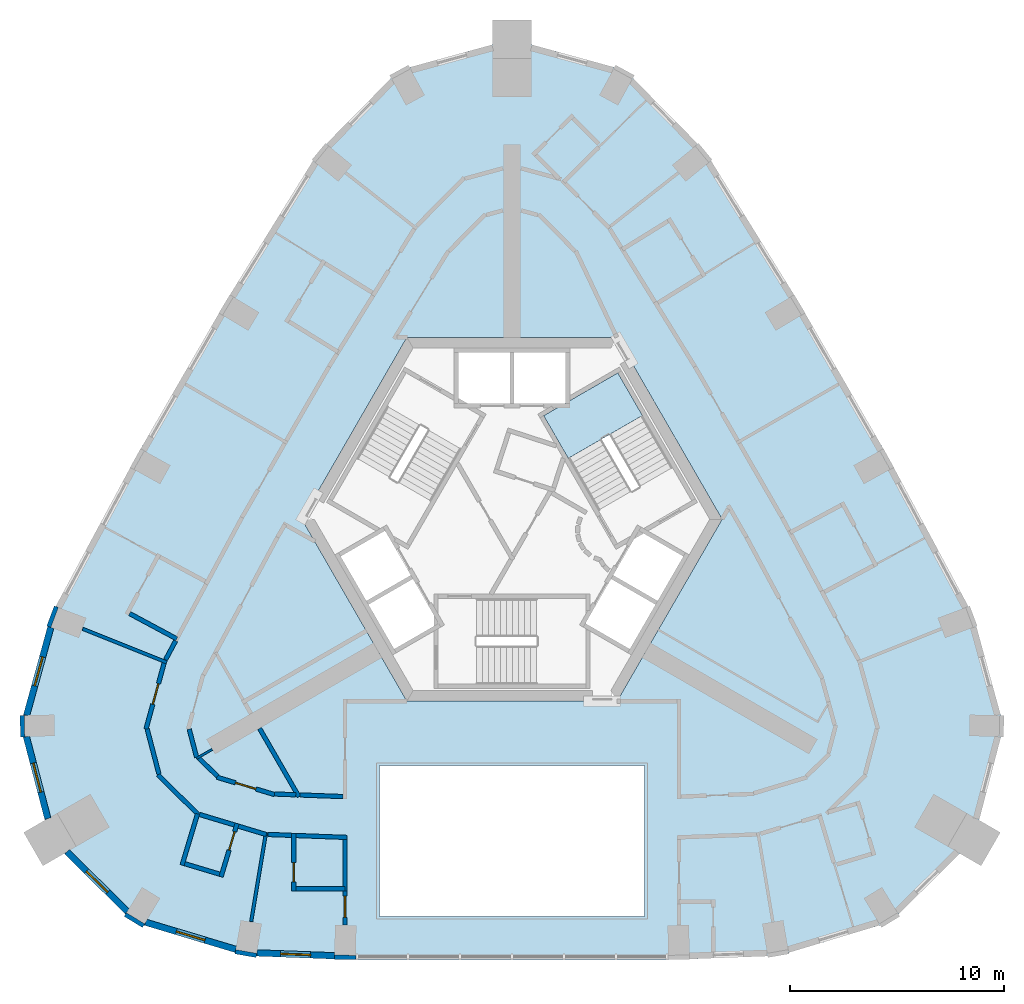
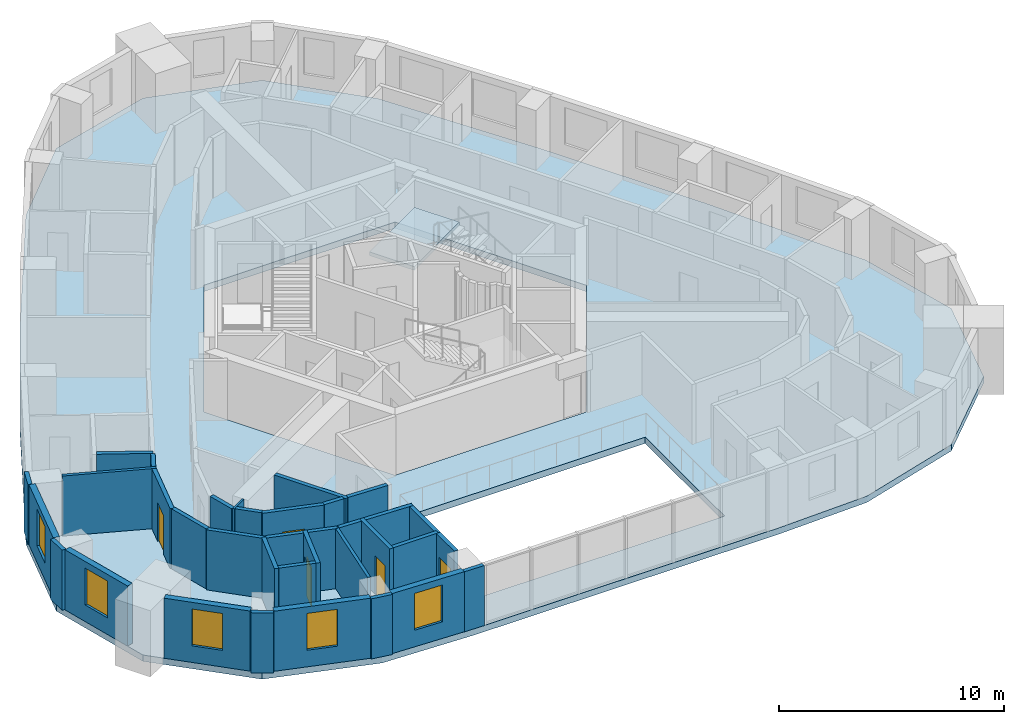
# One storey, part 3 of 10: 35 walls, 5 doors, 5 windows, 2 slabs, 10 openings, 1 element without a shape of its own.
"""IFC4 building model written with IfcOpenShell, lengths in metres."""

from ifc_helpers import new_model, si_unit, direction, frame, frame_2d, origin, place, context, subcontext, project, spatial, polyline, rectangle, outline, extrude, material, layer, layer_set, type_object, element, fill, aggregate, save


model = new_model("IFC4")

# Units and contexts
model_context = context("Model", 3, precision=1e-05, world=origin(), true_north=direction((0.0, 1.0)))
body_context = subcontext(model_context, "Body", "Model", "MODEL_VIEW")
ifc_project = project(units=[si_unit("LENGTHUNIT", "METRE"), si_unit("AREAUNIT", "SQUARE_METRE"), si_unit("VOLUMEUNIT", "CUBIC_METRE"), si_unit("PLANEANGLEUNIT", "RADIAN"), si_unit("MASSUNIT", "GRAM", prefix="KILO")], contexts=[model_context])

# Site, building, storey
site_placement = place(None, origin())
site = spatial("IfcSite", under=ifc_project, at=site_placement, CompositionType="ELEMENT")
building_placement = place(site_placement, origin())
building = spatial("IfcBuilding", under=site, at=building_placement, Name="Entoto Arch Interchange Tower", CompositionType="ELEMENT")
storey_placement = place(building_placement, frame((0.0, 0.0, 300.800048828125)))
storey = spatial("IfcBuildingStorey", under=building, at=storey_placement, Name="L70", CompositionType="ELEMENT", Elevation=300.800048828125)

# Stair, slab
ifc_material_1 = material(Name="Concrete C40/50", Category="concrete")
stair_type = type_object("IfcStairType", Name="EXIT STAIR RC 1800", PredefinedType="HALF_TURN_STAIR", material=ifc_material_1)
stair_placement = place(storey_placement, origin())
stair = element("IfcStair", 1, at=stair_placement, inside=storey, type_object=stair_type, Name="L70 Exit stair NE", PredefinedType="HALF_TURN_STAIR")
ifc_layer_1 = layer(ifc_material_1, 0.199951171875)
ifc_layer_set_1 = layer_set([ifc_layer_1], Name="Concrete C40/50")
slab_type_1 = type_object("IfcSlabType", Name="EXIT STAIR LANDING RC 200", PredefinedType="LANDING", material=ifc_layer_set_1)
slab_1_placement = place(storey_placement, frame((0.0, 0.0, 1.599853515625)))
slab_1 = element("IfcSlab", 2, at=slab_1_placement, type_object=slab_type_1, Name="ST-NE landing 1", PredefinedType="LANDING", context=body_context, shape_type="SweptSolid", body=[
    extrude(outline(polyline([(6.093505859375, 7.345947265625), (4.943359375, 9.337890625), (1.479248046875, 7.337890625), (2.62939453125, 5.345947265625), (6.093505859375, 7.345947265625)])), origin(), (0.0, 0.0, 1.0), 0.2001953125),
])
aggregate(stair, [slab_1])

# Slab
ifc_layer_2 = layer(ifc_material_1, 0.340087890625)
ifc_layer_set_2 = layer_set([ifc_layer_2], Name="Concrete C40/50")
slab_type_2 = type_object("IfcSlabType", Name="Post-tensioned flat plate 340 C40/50", PredefinedType="FLOOR", material=ifc_layer_set_2)
slab_2_placement = place(storey_placement, frame((0.0, 0.0, -0.340087890625)))
element("IfcSlab", 3, at=slab_2_placement, inside=storey, type_object=slab_type_2, Name="Floor slab L70", PredefinedType="FLOOR", context=body_context, shape_type="SweptSolid", body=[
    extrude(outline(polyline([(-12.447998046875, -17.889892578125), (-7.800048828125, -18.06396484375), (7.800048828125, -18.06396484375), (12.447998046875, -17.889892578125), (17.69189453125, -16.31201171875), (21.583984375, -12.4609375), (22.971923828125, -7.1650390625), (21.556884765625, -2.01708984375), (17.595947265625, 5.35791015625), (13.43798828125, 12.56005859375), (9.031982421875, 19.677001953125), (5.281005859375, 23.47705078125), (0.0, 24.923095703125), (-5.281005859375, 23.47705078125), (-9.031982421875, 19.677001953125), (-13.43798828125, 12.56005859375), (-17.595947265625, 5.35791015625), (-21.556884765625, -2.01708984375), (-22.971923828125, -7.1650390625), (-21.583984375, -12.4609375), (-17.69189453125, -16.31201171875), (-12.447998046875, -17.889892578125)]), holes=[polyline([(6.199951171875, -16.06396484375), (6.199951171875, -9.0), (-6.199951171875, -9.0), (-6.199951171875, -16.06396484375), (6.199951171875, -16.06396484375)]), polyline([(9.81494140625, 2.5), (4.906982421875, 11.0), (-4.906982421875, 11.0), (-9.81494140625, 2.5), (-4.906982421875, -6.0), (4.906982421875, -6.0), (9.81494140625, 2.5)])]), origin(), (0.0, 0.0, 1.0), 0.340087890625),
])

# Walls
ifc_material_2 = material(Name="Gypsum board partition on steel studs", Category="steel")
ifc_layer_3 = layer(ifc_material_2, 0.10009765625)
ifc_layer_set_3 = layer_set([ifc_layer_3], Name="Gypsum board partition on steel studs")
wall_type_1 = type_object("IfcWallType", Name="PARTITION 100", PredefinedType="PARTITIONING", material=ifc_layer_set_3)
wall_1_placement = place(storey_placement, frame((-14.001953125, -8.248046875, 0.0), z_axis=(0.0, 0.0, 1.0), x_axis=(-0.866142766235, -0.499796667154, 0.0)))
element("IfcWall", 4, at=wall_1_placement, inside=storey, type_object=wall_type_1, Name="wall:L70:p089", PredefinedType="PARTITIONING", context=body_context, shape_type="SweptSolid", body=[
    extrude(rectangle(XDim=0.854248046875, YDim=0.10009765625, at=frame_2d((0.42724609375, 0.0))), origin(), (0.0, 0.0, 1.0), 3.260009765625),
])
ifc_layer_4 = layer(ifc_material_2, 0.14990234375)
ifc_layer_set_4 = layer_set([ifc_layer_4], Name="Gypsum board partition on steel studs")
wall_type_2 = type_object("IfcWallType", Name="PARTITION 150", PredefinedType="PARTITIONING", material=ifc_layer_set_4)
wall_2_placement = place(storey_placement, frame((-16.137939453125, -4.18505859375, 0.0), z_axis=(0.0, 0.0, 1.0), x_axis=(-0.928432751736, 0.371500505388, 0.0)))
element("IfcWall", 5, at=wall_2_placement, inside=storey, type_object=wall_type_2, Name="wall:L70:p124", PredefinedType="PARTITIONING", context=body_context, shape_type="SweptSolid", body=[
    extrude(rectangle(XDim=4.2158203125, YDim=0.14990234375, at=frame_2d((2.10791015625, 0.0))), origin(), (0.0, 0.0, 1.0), 3.260009765625),
])
wall_3_placement = place(storey_placement, frame((-11.488037109375, -12.123046875, 0.0), z_axis=(0.0, 0.0, 1.0), x_axis=(-0.164174159643, -0.986431368776, 0.0)))
element("IfcWall", 6, at=wall_3_placement, inside=storey, type_object=wall_type_2, Name="wall:L70:p128", PredefinedType="PARTITIONING", context=body_context, shape_type="SweptSolid", body=[
    extrude(rectangle(XDim=4.226318359375, YDim=0.14990234375, at=frame_2d((2.11328125, 0.0))), origin(), (0.0, 0.0, 1.0), 3.260009765625),
])
ifc_layer_5 = layer(ifc_material_2, 0.199951171875)
ifc_layer_set_5 = layer_set([ifc_layer_5], Name="Gypsum board partition on steel studs")
wall_type_3 = type_object("IfcWallType", Name="PARTITION 200", PredefinedType="PARTITIONING", material=ifc_layer_set_5)
wall_4_placement = place(storey_placement, frame((-9.902099609375, -10.3798828125, 0.0), z_axis=(0.0, 0.0, 1.0), x_axis=(0.999295503749, -0.037529937222, 0.0)))
element("IfcWall", 7, at=wall_4_placement, inside=storey, type_object=wall_type_3, Name="wall:L70:p024", PredefinedType="PARTITIONING", context=body_context, shape_type="SweptSolid", body=[
    extrude(rectangle(XDim=2.003662109375, YDim=0.199951171875, at=frame_2d((1.001953125, 0.0))), origin(), (0.0, 0.0, 1.0), 3.260009765625),
])
wall_5_placement = place(storey_placement, frame((-15.077880859375, -7.30908203125, 0.0), z_axis=(0.0, 0.0, 1.0), x_axis=(0.254014079025, -0.967200520914, 0.0)))
element("IfcWall", 8, at=wall_5_placement, inside=storey, type_object=wall_type_3, Name="wall:L70:p027", PredefinedType="PARTITIONING", context=body_context, shape_type="SweptSolid", body=[
    extrude(rectangle(XDim=1.354248046875, YDim=0.199951171875, at=frame_2d((0.67724609375, 0.0))), origin(), (0.0, 0.0, 1.0), 3.260009765625),
])
wall_6_placement = place(storey_placement, frame((-14.6201171875, -8.659912109375, 0.0), z_axis=(0.0, 0.0, 1.0), x_axis=(0.710838137113, -0.703355630407, 0.0)))
element("IfcWall", 9, at=wall_6_placement, inside=storey, type_object=wall_type_3, Name="wall:L70:p028", PredefinedType="PARTITIONING", context=body_context, shape_type="SweptSolid", body=[
    extrude(rectangle(XDim=1.207275390625, YDim=0.199951171875, at=frame_2d((0.603515625, 0.0))), origin(), (0.0, 0.0, 1.0), 3.260009765625),
])

# Wall, opening, door
wall_7_placement = place(storey_placement, frame((-13.787109375, -9.550048828125, 0.0), z_axis=(0.0, 0.0, 1.0), x_axis=(0.957493454064, -0.288454997225, 0.0)))
wall_7 = element("IfcWall", 10, at=wall_7_placement, inside=storey, type_object=wall_type_3, Name="wall:L70:p029", PredefinedType="PARTITIONING", context=body_context, shape_type="SweptSolid", body=[
    extrude(rectangle(XDim=2.811767578125, YDim=0.199951171875, at=frame_2d((1.40576171875, 0.0))), origin(), (0.0, 0.0, 1.0), 3.260009765625),
])
opening_1_placement = place(wall_7_placement, frame((0.906005859375, 0.0, 0.0)))
opening_1 = element("IfcOpeningElement", 11, at=opening_1_placement, cuts=wall_7, Name="Opening L70-D31", PredefinedType="OPENING", context=body_context, shape_type="SweptSolid", body=[
    extrude(rectangle(XDim=1.0, YDim=2.10009765625, at=frame_2d((0.5, 1.050048828125))), frame((0.0, 0.10986328125, 0.0), z_axis=(0.0, -1.0, 0.0), x_axis=(1.0, 0.0, 0.0)), (0.0, 0.0, 1.0), 0.219970703125),
])
ifc_material_3 = material(Name="Timber door leaf in Steel S235 frame", Category="steel")
door_type_1 = type_object("IfcDoorType", Name="DOOR DS-10 1000x2100", OperationType="SINGLE_SWING_LEFT", PredefinedType="DOOR", material=ifc_material_3)
door_1_placement = place(opening_1_placement, origin())
door_1 = element("IfcDoor", 12, at=door_1_placement, inside=storey, type_object=door_type_1, Name="door:L70:31", OperationType="SINGLE_SWING_LEFT", OverallHeight=2.10009765625, OverallWidth=1.0, PredefinedType="DOOR", context=body_context, shape_type="SweptSolid", body=[
    extrude(rectangle(XDim=1.0, YDim=2.10009765625, at=frame_2d((0.5, 1.050048828125))), frame((0.0, 0.02490234375, 0.0), z_axis=(0.0, -1.0, 0.0), x_axis=(1.0, 0.0, 0.0)), (0.0, 0.0, 1.0), 0.050048828125),
])
fill(opening_1, door_1)

# Walls
wall_8_placement = place(storey_placement, frame((-11.091064453125, -10.3349609375, 0.0), z_axis=(0.0, 0.0, 1.0), x_axis=(0.999296807198, -0.037495214686, 0.0)))
element("IfcWall", 13, at=wall_8_placement, inside=storey, type_object=wall_type_3, Name="wall:L70:p030", PredefinedType="PARTITIONING", context=body_context, shape_type="SweptSolid", body=[
    extrude(rectangle(XDim=0.98974609375, YDim=0.199951171875, at=frame_2d((0.494873046875, 0.0))), origin(), (0.0, 0.0, 1.0), 3.260009765625),
])
wall_9_placement = place(storey_placement, frame((-16.18408203125, -4.05908203125, 0.0), z_axis=(0.0, 0.0, 1.0), x_axis=(0.473039108954, 0.881041430013, 0.0)))
element("IfcWall", 14, at=wall_9_placement, inside=storey, type_object=wall_type_3, Name="wall:L70:p054", PredefinedType="PARTITIONING", context=body_context, shape_type="SweptSolid", body=[
    extrude(rectangle(XDim=1.002197265625, YDim=0.199951171875, at=frame_2d((0.5009765625, 0.0))), origin(), (0.0, 0.0, 1.0), 3.260009765625),
])
wall_10_placement = place(storey_placement, frame((-11.48095703125, -12.22900390625, 0.0), z_axis=(0.0, 0.0, 1.0), x_axis=(-0.957537616046, 0.288308365917, 0.0)))
element("IfcWall", 15, at=wall_10_placement, inside=storey, type_object=wall_type_3, Name="wall:L70:p056", PredefinedType="PARTITIONING", context=body_context, shape_type="SweptSolid", body=[
    extrude(rectangle(XDim=1.352294921875, YDim=0.199951171875, at=frame_2d((0.67626953125, 0.0))), origin(), (0.0, 0.0, 1.0), 3.260009765625),
])
wall_11_placement = place(storey_placement, frame((-14.6201171875, -11.3330078125, 0.0), z_axis=(0.0, 0.0, 1.0), x_axis=(-0.710808598142, 0.703385482369, 0.0)))
element("IfcWall", 16, at=wall_11_placement, inside=storey, type_object=wall_type_3, Name="wall:L70:p057", PredefinedType="PARTITIONING", context=body_context, shape_type="SweptSolid", body=[
    extrude(rectangle(XDim=2.697021484375, YDim=0.199951171875, at=frame_2d((1.3486328125, 0.0))), origin(), (0.0, 0.0, 1.0), 3.260009765625),
])
wall_12_placement = place(storey_placement, frame((-16.490966796875, -9.409912109375, 0.0), z_axis=(0.0, 0.0, 1.0), x_axis=(-0.253618393349, 0.967304352598, 0.0)))
element("IfcWall", 17, at=wall_12_placement, inside=storey, type_object=wall_type_3, Name="wall:L70:p058", PredefinedType="PARTITIONING", context=body_context, shape_type="SweptSolid", body=[
    extrude(rectangle(XDim=2.184326171875, YDim=0.199951171875, at=frame_2d((1.09228515625, 0.0))), origin(), (0.0, 0.0, 1.0), 3.260009765625),
])

# Wall, opening, door
wall_13_placement = place(storey_placement, frame((-17.096923828125, -7.297119140625, 0.0), z_axis=(0.0, 0.0, 1.0), x_axis=(0.264861686213, 0.964286413456, 0.0)))
wall_13 = element("IfcWall", 18, at=wall_13_placement, inside=storey, type_object=wall_type_3, Name="wall:L70:p059", PredefinedType="PARTITIONING", context=body_context, shape_type="SweptSolid", body=[
    extrude(rectangle(XDim=3.291748046875, YDim=0.199951171875, at=frame_2d((1.64599609375, 0.0))), origin(), (0.0, 0.0, 1.0), 3.260009765625),
])
opening_2_placement = place(wall_13_placement, frame((1.195068359375, 0.0, 0.0)))
opening_2 = element("IfcOpeningElement", 19, at=opening_2_placement, cuts=wall_13, Name="Opening L70-D21", PredefinedType="OPENING", context=body_context, shape_type="SweptSolid", body=[
    extrude(rectangle(XDim=1.0, YDim=2.10009765625, at=frame_2d((0.5, 1.050048828125))), frame((0.0, 0.10986328125, 0.0), z_axis=(0.0, -1.0, 0.0), x_axis=(1.0, 0.0, 0.0)), (0.0, 0.0, 1.0), 0.219970703125),
])
ifc_material_4 = material(Name="Fire-rated Steel S235 door and frame", Category="steel")
door_type_2 = type_object("IfcDoorType", Name="DOOR FD-10 1000x2100", OperationType="SINGLE_SWING_LEFT", PredefinedType="DOOR", material=ifc_material_4)
door_2_placement = place(opening_2_placement, origin())
door_2 = element("IfcDoor", 20, at=door_2_placement, inside=storey, type_object=door_type_2, Name="door:L70:21", OperationType="SINGLE_SWING_RIGHT", OverallHeight=2.10009765625, OverallWidth=1.0, PredefinedType="DOOR", context=body_context, shape_type="SweptSolid", body=[
    extrude(rectangle(XDim=1.0, YDim=2.10009765625, at=frame_2d((0.5, 1.050048828125))), frame((0.0, 0.02490234375, 0.0), z_axis=(0.0, -1.0, 0.0), x_axis=(1.0, 0.0, 0.0)), (0.0, 0.0, 1.0), 0.050048828125),
])
fill(opening_2, door_2)

# Walls
wall_14_placement = place(storey_placement, frame((-12.968017578125, -11.781005859375, 0.0), z_axis=(0.0, 0.0, 1.0), x_axis=(-0.957517271828, 0.288375925054, 0.0)))
element("IfcWall", 21, at=wall_14_placement, inside=storey, type_object=wall_type_3, Name="wall:L70:p060", PredefinedType="PARTITIONING", context=body_context, shape_type="SweptSolid", body=[
    extrude(rectangle(XDim=1.69921875, YDim=0.199951171875, at=frame_2d((0.849609375, 0.0))), origin(), (0.0, 0.0, 1.0), 3.260009765625),
])
wall_15_placement = place(storey_placement, frame((-10.299072265625, -12.26611328125, 0.0), z_axis=(0.0, 0.0, 1.0), x_axis=(-0.999313019426, 0.03706061529, 0.0)))
element("IfcWall", 22, at=wall_15_placement, inside=storey, type_object=wall_type_3, Name="wall:L70:p061", PredefinedType="PARTITIONING", context=body_context, shape_type="SweptSolid", body=[
    extrude(rectangle(XDim=1.106689453125, YDim=0.199951171875, at=frame_2d((0.55322265625, 0.0))), origin(), (0.0, 0.0, 1.0), 3.260009765625),
])
wall_16_placement = place(storey_placement, frame((-7.699951171875, -12.364013671875, 0.0), z_axis=(0.0, 0.0, 1.0), x_axis=(-0.999295758095, 0.037523164215, 0.0)))
element("IfcWall", 23, at=wall_16_placement, inside=storey, type_object=wall_type_3, Name="wall:L70:p062", PredefinedType="PARTITIONING", context=body_context, shape_type="SweptSolid", body=[
    extrude(rectangle(XDim=2.40087890625, YDim=0.199951171875, at=frame_2d((1.200439453125, 0.0))), origin(), (0.0, 0.0, 1.0), 3.260009765625),
])

# Wall, opening, door
wall_17_placement = place(storey_placement, frame((-7.800048828125, -16.444091796875, 0.0), z_axis=(0.0, 0.0, 1.0), x_axis=(0.0, 1.0, 0.0)))
wall_17 = element("IfcWall", 24, at=wall_17_placement, inside=storey, type_object=wall_type_3, Name="wall:L70:p081", PredefinedType="PARTITIONING", context=body_context, shape_type="SweptSolid", body=[
    extrude(rectangle(XDim=1.583984375, YDim=0.199951171875, at=frame_2d((0.7919921875, 0.0))), origin(), (0.0, 0.0, 1.0), 3.260009765625),
])
opening_3_placement = place(wall_17_placement, frame((0.342041015625, 0.0, 0.0)))
opening_3 = element("IfcOpeningElement", 25, at=opening_3_placement, cuts=wall_17, Name="Opening L70-D23", PredefinedType="OPENING", context=body_context, shape_type="SweptSolid", body=[
    extrude(rectangle(XDim=1.0, YDim=2.10009765625, at=frame_2d((0.5, 1.050048828125))), frame((0.0, 0.10986328125, 0.0), z_axis=(0.0, -1.0, 0.0), x_axis=(1.0, 0.0, 0.0)), (0.0, 0.0, 1.0), 0.219970703125),
])
door_3_placement = place(opening_3_placement, origin())
door_3 = element("IfcDoor", 26, at=door_3_placement, inside=storey, type_object=door_type_2, Name="door:L70:23", OperationType="SINGLE_SWING_RIGHT", OverallHeight=2.10009765625, OverallWidth=1.0, PredefinedType="DOOR", context=body_context, shape_type="SweptSolid", body=[
    extrude(rectangle(XDim=1.0, YDim=2.10009765625, at=frame_2d((0.5, 1.050048828125))), frame((0.0, 0.02490234375, 0.0), z_axis=(0.0, -1.0, 0.0), x_axis=(1.0, 0.0, 0.0)), (0.0, 0.0, 1.0), 0.050048828125),
])
fill(opening_3, door_3)

# Walls
wall_18_placement = place(storey_placement, frame((-7.800048828125, -14.860107421875, 0.0), z_axis=(0.0, 0.0, 1.0), x_axis=(0.0, 1.0, 0.0)))
element("IfcWall", 27, at=wall_18_placement, inside=storey, type_object=wall_type_3, Name="wall:L70:p082", PredefinedType="PARTITIONING", context=body_context, shape_type="SweptSolid", body=[
    extrude(rectangle(XDim=2.400146484375, YDim=0.199951171875, at=frame_2d((1.2001953125, 0.0))), origin(), (0.0, 0.0, 1.0), 3.260009765625),
])
wall_19_placement = place(storey_placement, frame((-9.951904296875, -10.462890625, 0.0), z_axis=(0.0, 0.0, 1.0), x_axis=(-0.499837150608, 0.866119404512, 0.0)))
element("IfcWall", 28, at=wall_19_placement, inside=storey, type_object=wall_type_3, Name="wall:L70:p088", PredefinedType="PARTITIONING", context=body_context, shape_type="SweptSolid", body=[
    extrude(rectangle(XDim=3.685302734375, YDim=0.199951171875, at=frame_2d((1.8427734375, 0.0))), origin(), (0.0, 0.0, 1.0), 3.260009765625),
])
wall_20_placement = place(storey_placement, frame((-17.864990234375, -1.905029296875, 0.0), z_axis=(0.0, 0.0, 1.0), x_axis=(0.881022314299, -0.473074710493, 0.0)))
element("IfcWall", 29, at=wall_20_placement, inside=storey, type_object=wall_type_3, Name="wall:L70:p123", PredefinedType="PARTITIONING", context=body_context, shape_type="SweptSolid", body=[
    extrude(rectangle(XDim=2.50048828125, YDim=0.199951171875, at=frame_2d((1.250244140625, 0.0))), origin(), (0.0, 0.0, 1.0), 3.260009765625),
])
wall_21_placement = place(storey_placement, frame((-14.69091796875, -11.261962890625, 0.0), z_axis=(0.0, 0.0, 1.0), x_axis=(-0.288440595492, -0.95749779262, 0.0)))
element("IfcWall", 30, at=wall_21_placement, inside=storey, type_object=wall_type_3, Name="wall:L70:p125", PredefinedType="PARTITIONING", context=body_context, shape_type="SweptSolid", body=[
    extrude(rectangle(XDim=2.500244140625, YDim=0.199951171875, at=frame_2d((1.25, 0.0))), origin(), (0.0, 0.0, 1.0), 3.260009765625),
])
wall_22_placement = place(storey_placement, frame((-15.287109375, -13.590087890625, 0.0), z_axis=(0.0, 0.0, 1.0), x_axis=(0.957735328181, -0.287650901536, 0.0)))
element("IfcWall", 31, at=wall_22_placement, inside=storey, type_object=wall_type_3, Name="wall:L70:p126", PredefinedType="PARTITIONING", context=body_context, shape_type="SweptSolid", body=[
    extrude(rectangle(XDim=1.699951171875, YDim=0.199951171875, at=frame_2d((0.85009765625, 0.0))), origin(), (0.0, 0.0, 1.0), 3.260009765625),
])

# Wall, opening, door
wall_23_placement = place(storey_placement, frame((-13.592041015625, -14.2041015625, 0.0), z_axis=(0.0, 0.0, 1.0), x_axis=(0.288062768188, 0.95761152958, 0.0)))
wall_23 = element("IfcWall", 32, at=wall_23_placement, inside=storey, type_object=wall_type_3, Name="wall:L70:p127", PredefinedType="PARTITIONING", context=body_context, shape_type="SweptSolid", body=[
    extrude(rectangle(XDim=2.60009765625, YDim=0.199951171875, at=frame_2d((1.300048828125, 0.0))), origin(), (0.0, 0.0, 1.0), 3.260009765625),
])
opening_4_placement = place(wall_23_placement, frame((1.300048828125, 0.0, 0.0)))
opening_4 = element("IfcOpeningElement", 33, at=opening_4_placement, cuts=wall_23, Name="Opening L70-D22", PredefinedType="OPENING", context=body_context, shape_type="SweptSolid", body=[
    extrude(rectangle(XDim=0.89990234375, YDim=2.10009765625, at=frame_2d((0.449951171875, 1.050048828125))), frame((0.0, 0.10986328125, 0.0), z_axis=(0.0, -1.0, 0.0), x_axis=(1.0, 0.0, 0.0)), (0.0, 0.0, 1.0), 0.219970703125),
])
door_type_3 = type_object("IfcDoorType", Name="DOOR DS-09 900x2100", OperationType="SINGLE_SWING_LEFT", PredefinedType="DOOR", material=ifc_material_3)
door_4_placement = place(opening_4_placement, origin())
door_4 = element("IfcDoor", 34, at=door_4_placement, inside=storey, type_object=door_type_3, Name="door:L70:22", OperationType="SINGLE_SWING_RIGHT", OverallHeight=2.10009765625, OverallWidth=0.89990234375, PredefinedType="DOOR", context=body_context, shape_type="SweptSolid", body=[
    extrude(rectangle(XDim=0.89990234375, YDim=2.10009765625, at=frame_2d((0.449951171875, 1.050048828125))), frame((0.0, 0.02490234375, 0.0), z_axis=(0.0, -1.0, 0.0), x_axis=(1.0, 0.0, 0.0)), (0.0, 0.0, 1.0), 0.050048828125),
])
fill(opening_4, door_4)

wall_24_placement = place(storey_placement, frame((-10.198974609375, -12.169921875, 0.0), z_axis=(0.0, 0.0, 1.0), x_axis=(-0.000363009324, -0.999999934112, 0.0)))
wall_24 = element("IfcWall", 35, at=wall_24_placement, inside=storey, type_object=wall_type_3, Name="wall:L70:p129", PredefinedType="PARTITIONING", context=body_context, shape_type="SweptSolid", body=[
    extrude(rectangle(XDim=2.690185546875, YDim=0.199951171875, at=frame_2d((1.34521484375, 0.0))), origin(), (0.0, 0.0, 1.0), 3.260009765625),
])
opening_5_placement = place(wall_24_placement, frame((1.3720703125, 0.0, 0.0)))
opening_5 = element("IfcOpeningElement", 36, at=opening_5_placement, cuts=wall_24, Name="Opening L70-D24", PredefinedType="OPENING", context=body_context, shape_type="SweptSolid", body=[
    extrude(rectangle(XDim=0.89990234375, YDim=2.10009765625, at=frame_2d((0.449951171875, 1.050048828125))), frame((0.0, 0.10986328125, 0.0), z_axis=(0.0, -1.0, 0.0), x_axis=(1.0, 0.0, 0.0)), (0.0, 0.0, 1.0), 0.219970703125),
])
door_5_placement = place(opening_5_placement, origin())
door_5 = element("IfcDoor", 37, at=door_5_placement, inside=storey, type_object=door_type_3, Name="door:L70:24", OperationType="SINGLE_SWING_RIGHT", OverallHeight=2.10009765625, OverallWidth=0.89990234375, PredefinedType="DOOR", context=body_context, shape_type="SweptSolid", body=[
    extrude(rectangle(XDim=0.89990234375, YDim=2.10009765625, at=frame_2d((0.449951171875, 1.050048828125))), frame((0.0, 0.02490234375, 0.0), z_axis=(0.0, -1.0, 0.0), x_axis=(1.0, 0.0, 0.0)), (0.0, 0.0, 1.0), 0.050048828125),
])
fill(opening_5, door_5)

# Wall
wall_25_placement = place(storey_placement, frame((-10.10009765625, -14.760009765625, 0.0), z_axis=(0.0, 0.0, 1.0), x_axis=(1.0, 0.0, 0.0)))
element("IfcWall", 38, at=wall_25_placement, inside=storey, type_object=wall_type_3, Name="wall:L70:p130", PredefinedType="PARTITIONING", context=body_context, shape_type="SweptSolid", body=[
    extrude(rectangle(XDim=2.300048828125, YDim=0.199951171875, at=frame_2d((1.14990234375, 0.0))), origin(), (0.0, 0.0, 1.0), 3.260009765625),
])

# Wall, opening, window
ifc_material_5 = material(Name="Welded tuff (ignimbrite) cladding, warm buff", Category="masonry")
ifc_layer_6 = layer(ifc_material_5, 0.300048828125)
ifc_layer_set_6 = layer_set([ifc_layer_6], Name="Welded tuff (ignimbrite) cladding, warm buff")
wall_type_4 = type_object("IfcWallType", Name="STONE INFILL WALL 300", PredefinedType="STANDARD", material=ifc_layer_set_6)
wall_26_placement = place(storey_placement, frame((-11.919921875, -17.760009765625, 0.0), z_axis=(0.0, 0.0, 1.0), x_axis=(0.999306787149, -0.037228284377, 0.0)))
wall_26 = element("IfcWall", 39, at=wall_26_placement, inside=storey, type_object=wall_type_4, Name="Facade wall S-01 L70", PredefinedType="STANDARD", context=body_context, shape_type="SweptSolid", body=[
    extrude(rectangle(XDim=3.62646484375, YDim=0.300048828125, at=frame_2d((1.813232421875, 0.0))), origin(), (0.0, 0.0, 1.0), 3.260009765625),
])
opening_6_placement = place(wall_26_placement, frame((1.113037109375, 0.0, 0.89990234375)))
opening_6 = element("IfcOpeningElement", 40, at=opening_6_placement, cuts=wall_26, Name="Opening WH-B", PredefinedType="OPENING", context=body_context, shape_type="SweptSolid", body=[
    extrude(rectangle(XDim=1.39990234375, YDim=2.0, at=frame_2d((0.699951171875, 1.0))), frame((0.0, 0.16015625, 0.0), z_axis=(0.0, -1.0, 0.0), x_axis=(1.0, 0.0, 0.0)), (0.0, 0.0, 1.0), 0.320068359375),
])
ifc_material_6 = material(Name="Clear glass, low-e double glazed", Category="glass")
window_type = type_object("IfcWindowType", Name="WINDOW WH-B 1400x2000", PartitioningType="DOUBLE_PANEL_VERTICAL", PredefinedType="WINDOW", material=ifc_material_6)
window_1_placement = place(opening_6_placement, origin())
window_1 = element("IfcWindow", 41, at=window_1_placement, inside=storey, type_object=window_type, Name="Window WH-B S-01 L70", OverallHeight=2.0, OverallWidth=1.39990234375, PartitioningType="SINGLE_PANEL", PredefinedType="WINDOW", context=body_context, shape_type="SweptSolid", body=[
    extrude(rectangle(XDim=1.39990234375, YDim=2.0, at=frame_2d((0.699951171875, 1.0))), frame((0.0, 0.030029296875, 0.0), z_axis=(0.0, -1.0, 0.0), x_axis=(1.0, 0.0, 0.0)), (0.0, 0.0, 1.0), 0.06005859375),
])
fill(opening_6, window_1)

wall_27_placement = place(storey_placement, frame((-21.549072265625, -2.552978515625, 0.0), z_axis=(0.0, 0.0, 1.0), x_axis=(-0.264892613927, -0.964277917971, 0.0)))
wall_27 = element("IfcWall", 42, at=wall_27_placement, inside=storey, type_object=wall_type_4, Name="Facade wall SW-01 L70", PredefinedType="STANDARD", context=body_context, shape_type="SweptSolid", body=[
    extrude(rectangle(XDim=4.258056640625, YDim=0.300048828125, at=frame_2d((2.12890625, 0.0))), origin(), (0.0, 0.0, 1.0), 3.260009765625),
])
opening_7_placement = place(wall_27_placement, frame((1.428955078125, 0.0, 0.89990234375)))
opening_7 = element("IfcOpeningElement", 43, at=opening_7_placement, cuts=wall_27, Name="Opening WH-B", PredefinedType="OPENING", context=body_context, shape_type="SweptSolid", body=[
    extrude(rectangle(XDim=1.39990234375, YDim=2.0, at=frame_2d((0.699951171875, 1.0))), frame((0.0, 0.16015625, 0.0), z_axis=(0.0, -1.0, 0.0), x_axis=(1.0, 0.0, 0.0)), (0.0, 0.0, 1.0), 0.320068359375),
])
window_2_placement = place(opening_7_placement, origin())
window_2 = element("IfcWindow", 44, at=window_2_placement, inside=storey, type_object=window_type, Name="Window WH-B SW-01 L70", OverallHeight=2.0, OverallWidth=1.39990234375, PartitioningType="SINGLE_PANEL", PredefinedType="WINDOW", context=body_context, shape_type="SweptSolid", body=[
    extrude(rectangle(XDim=1.39990234375, YDim=2.0, at=frame_2d((0.699951171875, 1.0))), frame((0.0, 0.030029296875, 0.0), z_axis=(0.0, -1.0, 0.0), x_axis=(1.0, 0.0, 0.0)), (0.0, 0.0, 1.0), 0.06005859375),
])
fill(opening_7, window_2)

wall_28_placement = place(storey_placement, frame((-22.68798828125, -7.656982421875, 0.0), z_axis=(0.0, 0.0, 1.0), x_axis=(0.253402039956, -0.96736105263, 0.0)))
wall_28 = element("IfcWall", 45, at=wall_28_placement, inside=storey, type_object=wall_type_4, Name="Facade wall SW-02 L70", PredefinedType="STANDARD", context=body_context, shape_type="SweptSolid", body=[
    extrude(rectangle(XDim=3.9541015625, YDim=0.300048828125, at=frame_2d((1.97705078125, 0.0))), origin(), (0.0, 0.0, 1.0), 3.260009765625),
])
opening_8_placement = place(wall_28_placement, frame((1.277099609375, 0.0, 0.89990234375)))
opening_8 = element("IfcOpeningElement", 46, at=opening_8_placement, cuts=wall_28, Name="Opening WH-B", PredefinedType="OPENING", context=body_context, shape_type="SweptSolid", body=[
    extrude(rectangle(XDim=1.39990234375, YDim=2.0, at=frame_2d((0.699951171875, 1.0))), frame((0.0, 0.16015625, 0.0), z_axis=(0.0, -1.0, 0.0), x_axis=(1.0, 0.0, 0.0)), (0.0, 0.0, 1.0), 0.320068359375),
])
window_3_placement = place(opening_8_placement, origin())
window_3 = element("IfcWindow", 47, at=window_3_placement, inside=storey, type_object=window_type, Name="Window WH-B SW-02 L70", OverallHeight=2.0, OverallWidth=1.39990234375, PartitioningType="SINGLE_PANEL", PredefinedType="WINDOW", context=body_context, shape_type="SweptSolid", body=[
    extrude(rectangle(XDim=1.39990234375, YDim=2.0, at=frame_2d((0.699951171875, 1.0))), frame((0.0, 0.030029296875, 0.0), z_axis=(0.0, -1.0, 0.0), x_axis=(1.0, 0.0, 0.0)), (0.0, 0.0, 1.0), 0.06005859375),
])
fill(opening_8, window_3)

wall_29_placement = place(storey_placement, frame((-20.787109375, -13.0390625, 0.0), z_axis=(0.0, 0.0, 1.0), x_axis=(0.710893699296, -0.703299472701, 0.0)))
wall_29 = element("IfcWall", 48, at=wall_29_placement, inside=storey, type_object=wall_type_4, Name="Facade wall SW-03 L70", PredefinedType="STANDARD", context=body_context, shape_type="SweptSolid", body=[
    extrude(rectangle(XDim=3.954345703125, YDim=0.300048828125, at=frame_2d((1.97705078125, 0.0))), origin(), (0.0, 0.0, 1.0), 3.260009765625),
])
opening_9_placement = place(wall_29_placement, frame((1.277099609375, 0.0, 0.89990234375)))
opening_9 = element("IfcOpeningElement", 49, at=opening_9_placement, cuts=wall_29, Name="Opening WH-B", PredefinedType="OPENING", context=body_context, shape_type="SweptSolid", body=[
    extrude(rectangle(XDim=1.39990234375, YDim=2.0, at=frame_2d((0.699951171875, 1.0))), frame((0.0, 0.16015625, 0.0), z_axis=(0.0, -1.0, 0.0), x_axis=(1.0, 0.0, 0.0)), (0.0, 0.0, 1.0), 0.320068359375),
])
window_4_placement = place(opening_9_placement, origin())
window_4 = element("IfcWindow", 50, at=window_4_placement, inside=storey, type_object=window_type, Name="Window WH-B SW-03 L70", OverallHeight=2.0, OverallWidth=1.39990234375, PartitioningType="SINGLE_PANEL", PredefinedType="WINDOW", context=body_context, shape_type="SweptSolid", body=[
    extrude(rectangle(XDim=1.39990234375, YDim=2.0, at=frame_2d((0.699951171875, 1.0))), frame((0.0, 0.030029296875, 0.0), z_axis=(0.0, -1.0, 0.0), x_axis=(1.0, 0.0, 0.0)), (0.0, 0.0, 1.0), 0.06005859375),
])
fill(opening_9, window_4)

wall_30_placement = place(storey_placement, frame((-17.116943359375, -16.327880859375, 0.0), z_axis=(0.0, 0.0, 1.0), x_axis=(0.957563190743, -0.288223412884, 0.0)))
wall_30 = element("IfcWall", 51, at=wall_30_placement, inside=storey, type_object=wall_type_4, Name="Facade wall SW-04 L70", PredefinedType="STANDARD", context=body_context, shape_type="SweptSolid", body=[
    extrude(rectangle(XDim=4.399658203125, YDim=0.300048828125, at=frame_2d((2.19970703125, 0.0))), origin(), (0.0, 0.0, 1.0), 3.260009765625),
])
opening_10_placement = place(wall_30_placement, frame((1.5, 0.0, 0.89990234375)))
opening_10 = element("IfcOpeningElement", 52, at=opening_10_placement, cuts=wall_30, Name="Opening WH-B", PredefinedType="OPENING", context=body_context, shape_type="SweptSolid", body=[
    extrude(rectangle(XDim=1.39990234375, YDim=2.0, at=frame_2d((0.699951171875, 1.0))), frame((0.0, 0.16015625, 0.0), z_axis=(0.0, -1.0, 0.0), x_axis=(1.0, 0.0, 0.0)), (0.0, 0.0, 1.0), 0.320068359375),
])
window_5_placement = place(opening_10_placement, origin())
window_5 = element("IfcWindow", 53, at=window_5_placement, inside=storey, type_object=window_type, Name="Window WH-B SW-04 L70", OverallHeight=2.0, OverallWidth=1.39990234375, PartitioningType="SINGLE_PANEL", PredefinedType="WINDOW", context=body_context, shape_type="SweptSolid", body=[
    extrude(rectangle(XDim=1.39990234375, YDim=2.0, at=frame_2d((0.699951171875, 1.0))), frame((0.0, 0.030029296875, 0.0), z_axis=(0.0, -1.0, 0.0), x_axis=(1.0, 0.0, 0.0)), (0.0, 0.0, 1.0), 0.06005859375),
])
fill(opening_10, window_5)

# Walls
ifc_layer_7 = layer(ifc_material_5, 0.199951171875)
ifc_layer_set_7 = layer_set([ifc_layer_7], Name="Welded tuff (ignimbrite) cladding, warm buff")
wall_type_5 = type_object("IfcWallType", Name="STONE PIER CLADDING 200", PredefinedType="STANDARD", material=ifc_layer_set_7)
wall_31_placement = place(storey_placement, frame((-21.2880859375, -1.583984375, 0.0), z_axis=(0.0, 0.0, 1.0), x_axis=(-0.350962844851, -0.936389385637, 0.0)))
element("IfcWall", 54, at=wall_31_placement, inside=storey, type_object=wall_type_5, Name="Stone pier NW04 L70", PredefinedType="STANDARD", context=body_context, shape_type="SweptSolid", body=[
    extrude(rectangle(XDim=0.99951171875, YDim=0.199951171875, at=frame_2d((0.499755859375, 0.0))), origin(), (0.0, 0.0, 1.0), 3.260009765625),
])
for number, where, z_axis, x_axis, name in (
    (55, (-12.924072265625, -17.70703125, 0.0), (0.0, 0.0, 1.0), (0.985800545746, -0.167920469293, 0.0), "Stone pier S01 L70"),
    (56, (-8.298095703125, -17.9541015625, 0.0), (0.0, 0.0, 1.0), (0.999799669399, -0.020015520725, 0.0), "Stone pier S02 L70"),
):
    element("IfcWall", number, at=place(storey_placement, frame(where, z_axis=z_axis, x_axis=x_axis)), inside=storey, type_object=wall_type_5, Name=name, PredefinedType="STANDARD", context=body_context, shape_type="SweptSolid", body=[
        extrude(rectangle(XDim=1.000244140625, YDim=0.199951171875, at=frame_2d((0.5, 0.0))), origin(), (0.0, 0.0, 1.0), 3.260009765625),
    ])
wall_32_placement = place(storey_placement, frame((-22.884033203125, -6.6630859375, 0.0), z_axis=(0.0, 0.0, 1.0), x_axis=(0.023942303888, -0.999713341956, 0.0)))
element("IfcWall", 57, at=wall_32_placement, inside=storey, type_object=wall_type_5, Name="Stone pier SW1 L70", PredefinedType="STANDARD", context=body_context, shape_type="SweptSolid", body=[
    extrude(rectangle(XDim=0.999267578125, YDim=0.199951171875, at=frame_2d((0.49951171875, 0.0))), origin(), (0.0, 0.0, 1.0), 3.260009765625),
])
wall_33_placement = place(storey_placement, frame((-18.06689453125, -15.966064453125, 0.0), z_axis=(0.0, 0.0, 1.0), x_axis=(0.853679739553, -0.520798331677, 0.0)))
element("IfcWall", 58, at=wall_33_placement, inside=storey, type_object=wall_type_5, Name="Stone pier SW3 L70", PredefinedType="STANDARD", context=body_context, shape_type="SweptSolid", body=[
    extrude(rectangle(XDim=1.00048828125, YDim=0.199951171875, at=frame_2d((0.500244140625, 0.0))), origin(), (0.0, 0.0, 1.0), 3.260009765625),
])

save(model, "model.ifc")
